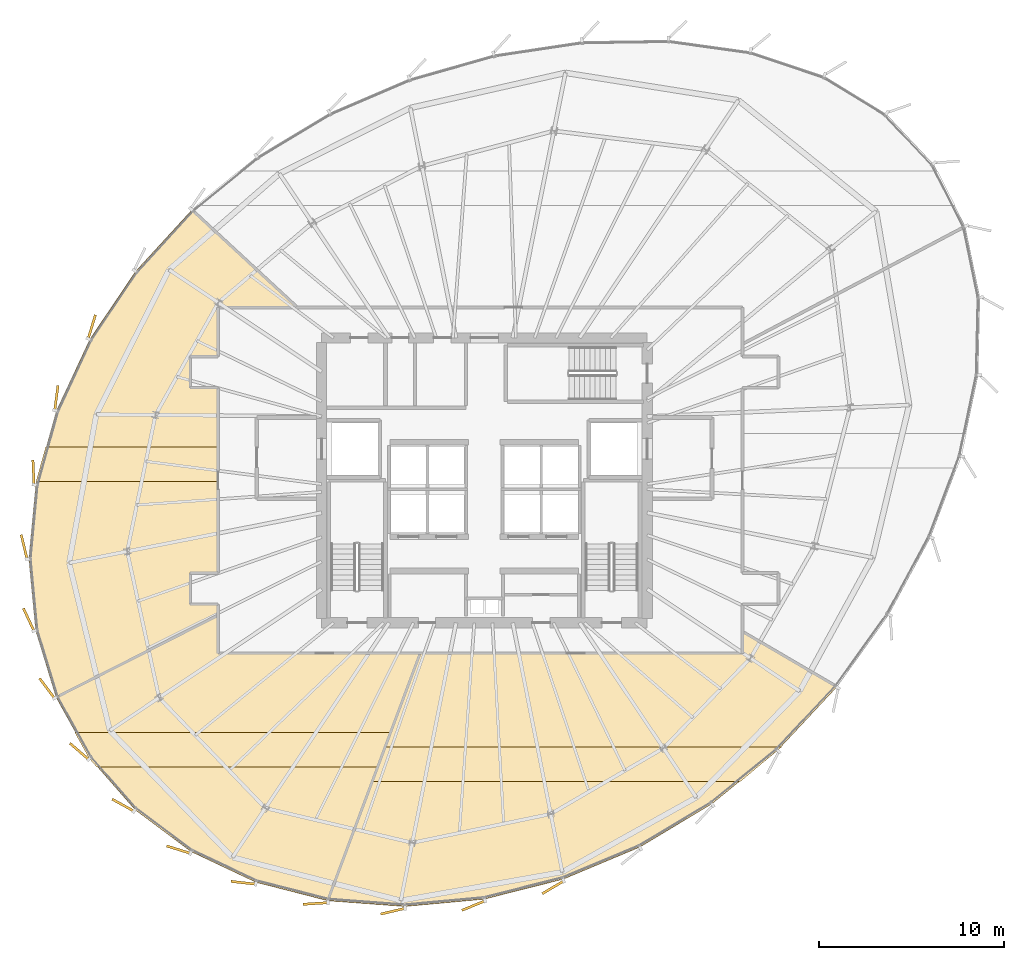
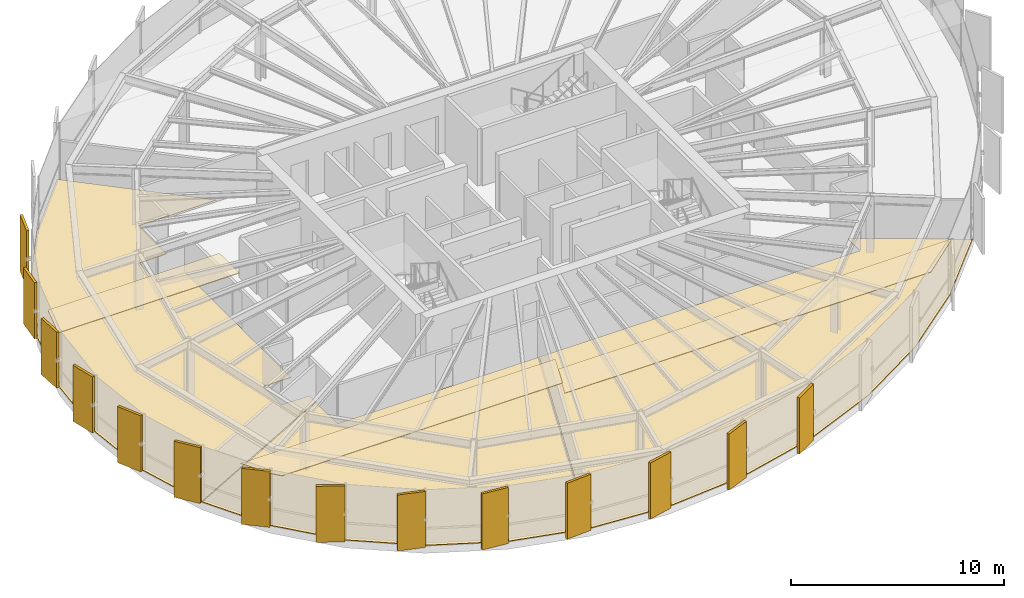
# One storey, part 33 of 36: 20 coverings.
"""IFC4 building model written with IfcOpenShell, lengths in metres."""

from ifc_helpers import new_model, si_unit, direction, frame, origin, origin_2d, place, context, subcontext, project, spatial, polyline, rectangle, outline, extrude, source, transform, mapped, material, layer, layer_set, type_object, element, save


model = new_model("IFC4")

# Units and contexts
model_context = context("Model", 3, precision=1e-05, world=origin(), true_north=direction((0.0, 1.0)))
body_context = subcontext(model_context, "Body", "Model", "MODEL_VIEW")
ifc_project = project(units=[si_unit("LENGTHUNIT", "METRE"), si_unit("AREAUNIT", "SQUARE_METRE"), si_unit("VOLUMEUNIT", "CUBIC_METRE"), si_unit("PLANEANGLEUNIT", "RADIAN"), si_unit("MASSUNIT", "GRAM", prefix="KILO"), si_unit("THERMODYNAMICTEMPERATUREUNIT", "KELVIN")], contexts=[model_context])

# Site, building, storey
site_placement = place(None, origin())
site = spatial("IfcSite", under=ifc_project, at=site_placement, CompositionType="ELEMENT")
building_placement = place(site_placement, origin())
building = spatial("IfcBuilding", under=site, at=building_placement, Name="Kethvar Cultural Tower", CompositionType="ELEMENT")
storey_placement = place(building_placement, frame((0.0, 0.0, 176.39990234375)))
storey = spatial("IfcBuildingStorey", under=building, at=storey_placement, Name="L45", CompositionType="ELEMENT", Elevation=176.39990234375)

# Coverings
ifc_material_1 = material(Name="Acoustic Mineral Fibre Ceiling")
ifc_layer_1 = layer(ifc_material_1, 0.0400390625, Name="Acoustic Mineral Fibre Ceiling")
ifc_layer_set_1 = layer_set([ifc_layer_1], Name="Acoustic Mineral Fibre Ceiling (40 mm)")
covering_type_1 = type_object("IfcCoveringType", Name="CV-ACOUSTIC-CEIL", PredefinedType="CEILING", material=ifc_layer_set_1)
covering_1_placement = place(storey_placement, frame((0.0, 0.0, 3.0)))
element("IfcCovering", 1, at=covering_1_placement, inside=storey, type_object=covering_type_1, Name="L45 Room 01 Acoustic Ceiling Panel", PredefinedType="CEILING", context=body_context, shape_type="SweptSolid", body=[
    extrude(outline(polyline([(25.4345703125, 12.781494140625), (24.658203125, 14.181396484375), (41.7626953125, 14.181396484375), (41.068115234375, 12.311279296875), (25.84619140625, 12.311279296875), (25.4345703125, 12.781494140625)])), origin(), (0.0, 0.0, 1.0), 0.0400390625),
])
covering_2_placement = place(storey_placement, frame((0.0, 0.0, 3.0)))
element("IfcCovering", 2, at=covering_2_placement, inside=storey, type_object=covering_type_1, Name="L45 Room 02 Acoustic Ceiling Panel", PredefinedType="CEILING", context=body_context, shape_type="SweptSolid", body=[
    extrude(outline(polyline([(62.876220703125, 13.39892578125), (60.64453125, 11.529052734375), (40.735107421875, 11.529052734375), (41.429443359375, 13.39892578125), (62.876220703125, 13.39892578125)])), origin(), (0.0, 0.0, 1.0), 0.0400390625),
])
covering_3_placement = place(storey_placement, frame((0.0, 0.0, 3.0)))
element("IfcCovering", 3, at=covering_3_placement, inside=storey, type_object=covering_type_1, Name="L45 Room 05 Acoustic Ceiling Panel", PredefinedType="CEILING", context=body_context, shape_type="SweptSolid", body=[
    extrude(outline(polyline([(23.08642578125, 29.6005859375), (32.419921875, 29.6005859375), (32.419921875, 27.730712890625), (22.56591796875, 27.730712890625), (23.08642578125, 29.6005859375)])), origin(), (0.0, 0.0, 1.0), 0.0400390625),
])
ifc_material_2 = material(Name="Honed Warm Limestone", Category="masonry")
ifc_layer_2 = layer(ifc_material_2, 0.030029296875, Name="Honed Warm Limestone", Category="masonry")
ifc_layer_set_2 = layer_set([ifc_layer_2], Name="Honed Warm Limestone (30 mm)")
covering_type_2 = type_object("IfcCoveringType", Name="CV-STONE-FLOOR", PredefinedType="FLOORING", material=ifc_layer_set_2)
covering_4_placement = place(storey_placement, origin())
element("IfcCovering", 4, at=covering_4_placement, inside=storey, type_object=covering_type_2, Name="L45 Room 01 Floor Finish", PredefinedType="FLOORING", context=body_context, shape_type="SweptSolid", body=[
    extrude(outline(polyline([(34.46728515625, 6.07275390625), (30.954833984375, 7.730712890625), (27.923828125, 9.998291015625), (25.46630859375, 12.806396484375), (23.665771484375, 16.053466796875), (32.3798828125, 20.4697265625), (32.39599609375, 18.430419921875), (43.298095703125, 18.429931640625), (38.339111328125, 5.078857421875), (34.46728515625, 6.07275390625)])), origin(), (0.0, 0.0, 1.0), 0.030029296875),
])
covering_5_placement = place(storey_placement, origin())
element("IfcCovering", 5, at=covering_5_placement, inside=storey, type_object=covering_type_2, Name="L45 Room 02 Floor Finish", PredefinedType="FLOORING", context=body_context, shape_type="SweptSolid", body=[
    extrude(outline(polyline([(62.644775390625, 13.209716796875), (59.08935546875, 10.31396484375), (55.197509765625, 7.975830078125), (51.050537109375, 6.239990234375), (46.7744140625, 5.15966796875), (42.4990234375, 4.767333984375), (38.379638671875, 5.072998046875), (43.3408203125, 18.429931640625), (60.751953125, 18.43017578125), (60.77001953125, 19.588623046875), (65.8310546875, 16.622314453125), (62.644775390625, 13.209716796875)])), origin(), (0.0, 0.0, 1.0), 0.030029296875),
])
covering_6_placement = place(storey_placement, origin())
element("IfcCovering", 6, at=covering_6_placement, inside=storey, type_object=covering_type_2, Name="L45 Room 05 Floor Finish", PredefinedType="FLOORING", context=body_context, shape_type="SweptSolid", body=[
    extrude(outline(polyline([(22.5498046875, 19.689697265625), (22.1796875, 23.556396484375), (22.5576171875, 27.552001953125), (23.672119140625, 31.555419921875), (25.489501953125, 35.445068359375), (27.95458984375, 39.102294921875), (30.979736328125, 42.402587890625), (36.637939453125, 37.169921875), (32.392333984375, 37.16845703125), (32.3798828125, 34.52001953125), (30.880859375, 34.505859375), (30.884521484375, 32.787353515625), (32.3798828125, 32.780029296875), (32.3798828125, 22.820068359375), (30.884521484375, 22.812744140625), (30.880126953125, 21.097900390625), (32.3798828125, 21.080078125), (32.3798828125, 20.5146484375), (23.650390625, 16.090576171875), (22.5498046875, 19.689697265625)])), origin(), (0.0, 0.0, 1.0), 0.030029296875),
])
ifc_material_3 = material(Name="Extruded Architectural Terracotta", Category="masonry")
ifc_layer_3 = layer(ifc_material_3, 0.135009765625, Name="Extruded Architectural Terracotta", Category="masonry")
ifc_layer_set_3 = layer_set([ifc_layer_3], Name="Extruded Architectural Terracotta (135 mm)")
covering_type_3 = type_object("IfcCoveringType", Name="Terracotta Facade Fin FIN-03", PredefinedType="CLADDING", material=ifc_layer_set_3)
shared_shape = source(origin(), body_context, "Body", "SweptSolid", [
    extrude(rectangle(XDim=1.35009765625, YDim=0.135009765625, at=origin_2d()), origin(), (0.0, 0.0, 1.0), 3.219970703125),
])
for number, where, z_axis, x_axis, name in (
    (7, (25.580810546875, 36.098876953125, 0.02001953125), (0.0, 0.0, 1.0), (0.293039260085, 0.956100408978, 0.0), "L45 Vertical Terracotta Fin 3.1"),
    (8, (23.6650390625, 32.253173828125, 0.02001953125), (0.0, 0.0, 1.0), (0.131564359092, 0.99130763107, 0.0), "L45 Vertical Terracotta Fin 3.2"),
    (9, (22.427490234375, 28.237548828125, 0.02001953125), (0.0, 0.0, 1.0), (-0.045362988129, 0.998970569791, 0.0), "L45 Vertical Terracotta Fin 3.3"),
    (10, (21.9228515625, 24.205078125, 0.02001953125), (0.0, 0.0, 1.0), (-0.232936200179, 0.972492018808, 0.0), "L45 Vertical Terracotta Fin 3.4"),
    (11, (22.16845703125, 20.2744140625, 0.02001953125), (0.0, 0.0, 1.0), (-0.422618261741, 0.906307787037, 0.0), "L45 Vertical Terracotta Fin 3.5"),
    (12, (23.161865234375, 16.562255859375, 0.02001953125), (0.0, 0.0, 1.0), (-0.601954402177, 0.798530461347, 0.0), "L45 Vertical Terracotta Fin 3.6"),
    (13, (24.904296875, 13.15380859375, 0.02001953125), (0.0, 0.0, 1.0), (-0.756881000713, 0.653552714599, 0.0), "L45 Vertical Terracotta Fin 4.1"),
    (14, (27.270751953125, 10.24462890625, 0.02001953125), (0.0, 0.0, 1.0), (-0.876306680044, 0.481753674102, 0.0), "L45 Vertical Terracotta Fin 4.2"),
    (15, (30.265869140625, 7.841552734375, 0.02001953125), (0.0, 0.0, 1.0), (-0.954916373739, 0.296874921752, 0.0), "L45 Vertical Terracotta Fin 4.3"),
    (16, (33.77001953125, 6.051513671875, 0.02001953125), (0.0, 0.0, 1.0), (-0.993767919161, 0.111468932206, 0.0), "L45 Vertical Terracotta Fin 4.4"),
    (17, (37.672119140625, 4.930908203125, 0.02001953125), (0.0, 0.0, 1.0), (-0.997847493041, -0.06557728747, 0.0), "L45 Vertical Terracotta Fin 4.5"),
    (18, (41.849609375, 4.512939453125, 0.02001953125), (0.0, 0.0, 1.0), (-0.97341924665, -0.229030500703, 0.0), "L45 Vertical Terracotta Fin 4.6"),
    (19, (46.210205078125, 4.817138671875, 0.02001953125), (0.0, 0.0, 1.0), (-0.926002419716, -0.377517574003, 0.0), "L45 Vertical Terracotta Fin 5.1"),
    (20, (50.50732421875, 5.802490234375, 0.02001953125), (0.0, 0.0, 1.0), (-0.859763151952, -0.510692982667, 0.0), "L45 Vertical Terracotta Fin 5.2"),
):
    element("IfcCovering", number, at=place(storey_placement, frame(where, z_axis=z_axis, x_axis=x_axis)), inside=storey, type_object=covering_type_3, Name=name, PredefinedType="CLADDING", context=body_context, shape_type="MappedRepresentation", body=[
        mapped(shared_shape, transform((0.0, 0.0, 0.0), scale=1.0)),
    ])

save(model, "model.ifc")
